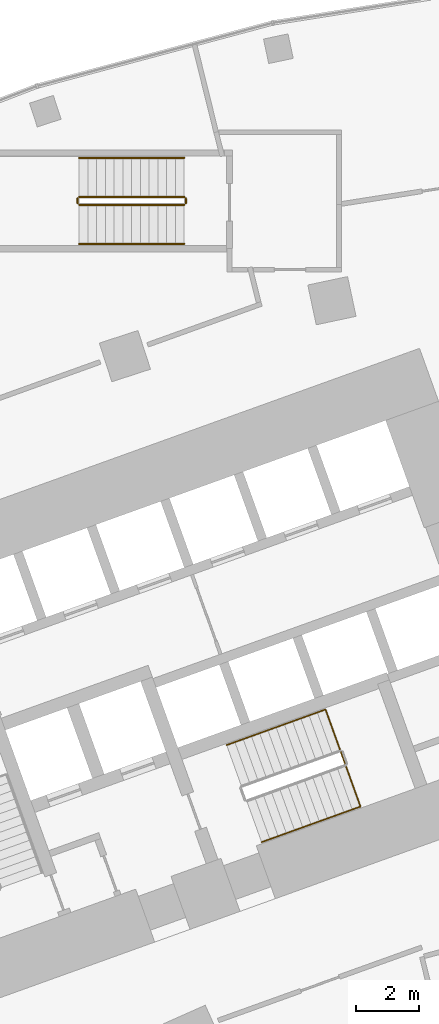
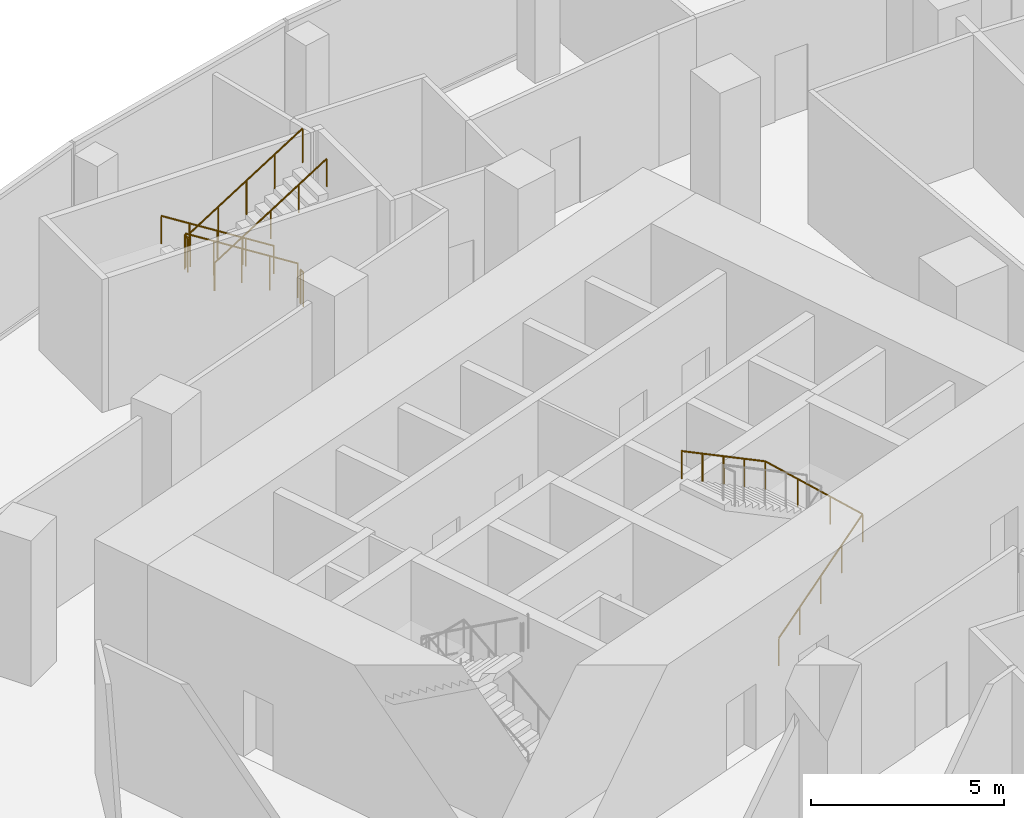
# One storey, part 34 of 39: 7 railings.
"""IFC4 building model written with IfcOpenShell, lengths in metres."""

from ifc_helpers import new_model, si_unit, direction, frame, origin, origin_2d, place, context, subcontext, project, spatial, circle, extrude, material, type_object, element, save


model = new_model("IFC4")

# Units and contexts
model_context = context("Model", 3, precision=1e-05, world=origin(), true_north=direction((0.0, 1.0)))
body_context = subcontext(model_context, "Body", "Model", "MODEL_VIEW")
ifc_project = project(units=[si_unit("LENGTHUNIT", "METRE"), si_unit("AREAUNIT", "SQUARE_METRE"), si_unit("VOLUMEUNIT", "CUBIC_METRE"), si_unit("PLANEANGLEUNIT", "RADIAN"), si_unit("MASSUNIT", "GRAM", prefix="KILO")], contexts=[model_context])

# Site, building, storey
site_placement = place(None, origin())
site = spatial("IfcSite", under=ifc_project, at=site_placement, CompositionType="ELEMENT")
building_placement = place(site_placement, origin())
building = spatial("IfcBuilding", under=site, at=building_placement, Name="Stone Belt Terrace Tower", CompositionType="ELEMENT")
storey_placement = place(building_placement, frame((0.0, 0.0, 16.199951171875)))
storey = spatial("IfcBuildingStorey", under=building, at=storey_placement, Name="L03", CompositionType="ELEMENT", Elevation=16.199951171875)

# Railings
ifc_material_1 = material(Name="Steel balustrade", Category="steel")
railing_type_1 = type_object("IfcRailingType", Name="Podium stair guard", PredefinedType="GUARDRAIL", material=ifc_material_1)
railing_1_placement = place(storey_placement, frame((-18.340087890625, 67.375, 0.177001953125)))
element("IfcRailing", 1, at=railing_1_placement, inside=storey, type_object=railing_type_1, Name="L03 PS7 stair guard 1", PredefinedType="GUARDRAIL", context=body_context, shape_type="SweptSolid", body=[
    extrude(circle(Radius=0.02392578125, at=origin_2d()), frame((0.0, 0.0, 1.076171875), z_axis=(-0.845372108799, 0.0, 0.534177870812), x_axis=(0.0, -1.0, 0.0)), (0.0, 0.0, 1.0), 3.974365234375),
    extrude(circle(Radius=0.02099609375, at=origin_2d()), origin(), (0.0, 0.0, 1.0), 1.052001953125),
    extrude(circle(Radius=0.02099609375, at=origin_2d()), frame((-0.83984375, 0.0, 0.53076171875)), (0.0, 0.0, 1.0), 1.052001953125),
    extrude(circle(Radius=0.02099609375, at=origin_2d()), frame((-1.679931640625, 0.0, 1.0615234375)), (0.0, 0.0, 1.0), 1.052001953125),
    extrude(circle(Radius=0.02099609375, at=origin_2d()), frame((-2.52001953125, 0.0, 1.59228515625)), (0.0, 0.0, 1.0), 1.052001953125),
    extrude(circle(Radius=0.02099609375, at=origin_2d()), frame((-3.35986328125, 0.0, 2.123046875)), (0.0, 0.0, 1.0), 1.052001953125),
])
railing_2_placement = place(storey_placement, frame((-21.75, 67.324951171875, 2.300048828125)))
element("IfcRailing", 2, at=railing_2_placement, inside=storey, type_object=railing_type_1, Name="L03 PS7 stair guard 2", PredefinedType="GUARDRAIL", context=body_context, shape_type="SweptSolid", body=[
    extrude(circle(Radius=0.02392578125, at=origin_2d()), frame((0.0, 0.0, 1.076171875), z_axis=(0.0, -1.0, 0.0), x_axis=(1.0, 0.0, 0.0)), (0.0, 0.0, 1.0), 0.14990234375),
    extrude(circle(Radius=0.02099609375, at=origin_2d()), origin(), (0.0, 0.0, 1.0), 1.052001953125),
    extrude(circle(Radius=0.02099609375, at=origin_2d()), frame((0.0, -0.14990234375, 0.0)), (0.0, 0.0, 1.0), 1.052001953125),
])
railing_3_placement = place(storey_placement, frame((-21.699951171875, 67.125, 2.47705078125)))
element("IfcRailing", 3, at=railing_3_placement, inside=storey, type_object=railing_type_1, Name="L03 PS7 stair guard 3", PredefinedType="GUARDRAIL", context=body_context, shape_type="SweptSolid", body=[
    extrude(circle(Radius=0.02392578125, at=origin_2d()), frame((0.0, 0.0, 1.076171875), z_axis=(0.845372108799, 0.0, 0.534177870812), x_axis=(0.0, 1.0, 0.0)), (0.0, 0.0, 1.0), 3.974365234375),
    extrude(circle(Radius=0.02099609375, at=origin_2d()), origin(), (0.0, 0.0, 1.0), 1.052001953125),
    extrude(circle(Radius=0.02099609375, at=origin_2d()), frame((0.83984375, 0.0, 0.53076171875)), (0.0, 0.0, 1.0), 1.052001953125),
    extrude(circle(Radius=0.02099609375, at=origin_2d()), frame((1.679931640625, 0.0, 1.0615234375)), (0.0, 0.0, 1.0), 1.052001953125),
    extrude(circle(Radius=0.02099609375, at=origin_2d()), frame((2.52001953125, 0.0, 1.59228515625)), (0.0, 0.0, 1.0), 1.052001953125),
    extrude(circle(Radius=0.02099609375, at=origin_2d()), frame((3.35986328125, 0.0, 2.123046875)), (0.0, 0.0, 1.0), 1.052001953125),
])
railing_4_placement = place(storey_placement, frame((-18.2900390625, 67.324951171875, 0.0)))
element("IfcRailing", 4, at=railing_4_placement, inside=storey, type_object=railing_type_1, Name="L03 PS7 stair guard 4", PredefinedType="GUARDRAIL", context=body_context, shape_type="SweptSolid", body=[
    extrude(circle(Radius=0.02392578125, at=origin_2d()), frame((0.0, 0.0, 1.076171875), z_axis=(0.0, -1.0, 0.0), x_axis=(1.0, 0.0, 0.0)), (0.0, 0.0, 1.0), 0.14990234375),
    extrude(circle(Radius=0.02099609375, at=origin_2d()), origin(), (0.0, 0.0, 1.0), 1.052001953125),
    extrude(circle(Radius=0.02099609375, at=origin_2d()), frame((0.0, -0.14990234375, 0.0)), (0.0, 0.0, 1.0), 1.052001953125),
])
ifc_material_2 = material(Name="Stainless steel handrail", Category="steel")
railing_type_2 = type_object("IfcRailingType", Name="Podium stair handrail", PredefinedType="HANDRAIL", material=ifc_material_2)
railing_5_placement = place(storey_placement, frame((-18.340087890625, 68.625, 0.177001953125)))
element("IfcRailing", 5, at=railing_5_placement, inside=storey, type_object=railing_type_2, Name="L03 PS7 stair handrail 1", PredefinedType="HANDRAIL", context=body_context, shape_type="SweptSolid", body=[
    extrude(circle(Radius=0.02392578125, at=origin_2d()), frame((0.0, 0.0, 0.8759765625), z_axis=(-0.845372108799, 0.0, 0.534177870812), x_axis=(0.0, -1.0, 0.0)), (0.0, 0.0, 1.0), 3.974365234375),
    extrude(circle(Radius=0.02099609375, at=origin_2d()), origin(), (0.0, 0.0, 1.0), 0.851806640625),
    extrude(circle(Radius=0.02099609375, at=origin_2d()), frame((-0.83984375, 0.0, 0.53076171875)), (0.0, 0.0, 1.0), 0.851806640625),
    extrude(circle(Radius=0.02099609375, at=origin_2d()), frame((-1.679931640625, 0.0, 1.0615234375)), (0.0, 0.0, 1.0), 0.851806640625),
    extrude(circle(Radius=0.02099609375, at=origin_2d()), frame((-2.52001953125, 0.0, 1.59228515625)), (0.0, 0.0, 1.0), 0.851806640625),
    extrude(circle(Radius=0.02099609375, at=origin_2d()), frame((-3.35986328125, 0.0, 2.123046875)), (0.0, 0.0, 1.0), 0.851806640625),
])
railing_6_placement = place(storey_placement, frame((-21.699951171875, 65.875, 2.47705078125)))
element("IfcRailing", 6, at=railing_6_placement, inside=storey, type_object=railing_type_2, Name="L03 PS7 stair handrail 2", PredefinedType="HANDRAIL", context=body_context, shape_type="SweptSolid", body=[
    extrude(circle(Radius=0.02392578125, at=origin_2d()), frame((0.0, 0.0, 0.8759765625), z_axis=(0.845372108799, 0.0, 0.534177870812), x_axis=(0.0, 1.0, 0.0)), (0.0, 0.0, 1.0), 3.974365234375),
    extrude(circle(Radius=0.02099609375, at=origin_2d()), origin(), (0.0, 0.0, 1.0), 0.851806640625),
    extrude(circle(Radius=0.02099609375, at=origin_2d()), frame((0.83984375, 0.0, 0.53076171875)), (0.0, 0.0, 1.0), 0.851806640625),
    extrude(circle(Radius=0.02099609375, at=origin_2d()), frame((1.679931640625, 0.0, 1.0615234375)), (0.0, 0.0, 1.0), 0.851806640625),
    extrude(circle(Radius=0.02099609375, at=origin_2d()), frame((2.52001953125, 0.0, 1.59228515625)), (0.0, 0.0, 1.0), 0.851806640625),
    extrude(circle(Radius=0.02099609375, at=origin_2d()), frame((3.35986328125, 0.0, 2.123046875)), (0.0, 0.0, 1.0), 0.851806640625),
])
ifc_material_3 = material(Name="Structural steel C345", Category="steel")
railing_type_3 = type_object("IfcRailingType", Name="Stair handrail 900", PredefinedType="HANDRAIL", material=ifc_material_3)
railing_7_placement = place(storey_placement, frame((-15.8642578125, 46.7392578125, 0.177001953125)))
element("IfcRailing", 7, at=railing_7_placement, inside=storey, type_object=railing_type_3, Name="L03 ST2A stair handrail 1", PredefinedType="HANDRAIL", context=body_context, shape_type="SweptSolid", body=[
    extrude(circle(Radius=0.02392578125, at=origin_2d()), frame((0.0, 0.0, 0.8759765625), z_axis=(0.795431811234, 0.286254710043, 0.534178317283), x_axis=(-0.338613969627, 0.9409253847, 0.0)), (0.0, 0.0, 1.0), 3.974365234375),
    extrude(circle(Radius=0.02392578125, at=origin_2d()), frame((3.161376953125, 1.1376953125, 2.9990234375), z_axis=(-0.338112997137, 0.939580338779, 0.053557335138), x_axis=(-0.940930785231, -0.338598962497, 0.0)), (0.0, 0.0, 1.0), 3.304931640625),
    extrude(circle(Radius=0.02392578125, at=origin_2d()), frame((2.0439453125, 4.242919921875, 3.17578125), z_axis=(-0.795417823175, -0.286311103083, 0.534168923494), x_axis=(0.338678299589, -0.940902231577, 0.0)), (0.0, 0.0, 1.0), 3.974365234375),
    extrude(circle(Radius=0.02099609375, at=origin_2d()), origin(), (0.0, 0.0, 1.0), 0.851806640625),
    extrude(circle(Radius=0.02099609375, at=origin_2d()), frame((0.790283203125, 0.284423828125, 0.53076171875)), (0.0, 0.0, 1.0), 0.851806640625),
    extrude(circle(Radius=0.02099609375, at=origin_2d()), frame((1.58056640625, 0.56884765625, 1.0615234375)), (0.0, 0.0, 1.0), 0.851806640625),
    extrude(circle(Radius=0.02099609375, at=origin_2d()), frame((2.37109375, 0.853271484375, 1.59228515625)), (0.0, 0.0, 1.0), 0.851806640625),
    extrude(circle(Radius=0.02099609375, at=origin_2d()), frame((3.161376953125, 1.1376953125, 2.123046875)), (0.0, 0.0, 1.0), 0.851806640625),
    extrude(circle(Radius=0.02099609375, at=origin_2d()), frame((2.788818359375, 2.1728515625, 2.18212890625)), (0.0, 0.0, 1.0), 0.851806640625),
    extrude(circle(Radius=0.02099609375, at=origin_2d()), frame((2.41650390625, 3.207763671875, 2.240966796875)), (0.0, 0.0, 1.0), 0.851806640625),
    extrude(circle(Radius=0.02099609375, at=origin_2d()), frame((2.0439453125, 4.242919921875, 2.300048828125)), (0.0, 0.0, 1.0), 0.851806640625),
    extrude(circle(Radius=0.02099609375, at=origin_2d()), frame((1.253662109375, 3.95849609375, 2.830810546875)), (0.0, 0.0, 1.0), 0.851806640625),
    extrude(circle(Radius=0.02099609375, at=origin_2d()), frame((0.46337890625, 3.673828125, 3.361572265625)), (0.0, 0.0, 1.0), 0.851806640625),
    extrude(circle(Radius=0.02099609375, at=origin_2d()), frame((-0.3271484375, 3.389404296875, 3.892333984375)), (0.0, 0.0, 1.0), 0.851806640625),
    extrude(circle(Radius=0.02099609375, at=origin_2d()), frame((-1.117431640625, 3.10498046875, 4.423095703125)), (0.0, 0.0, 1.0), 0.851806640625),
])

save(model, "model.ifc")
